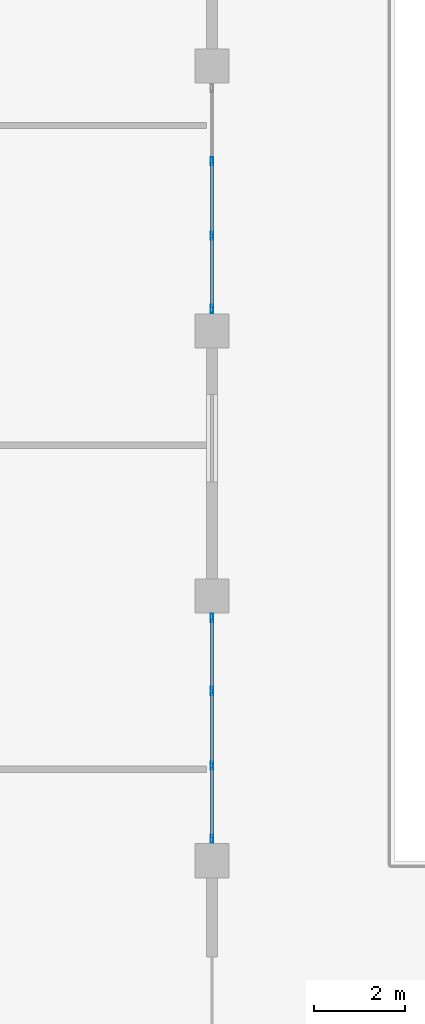
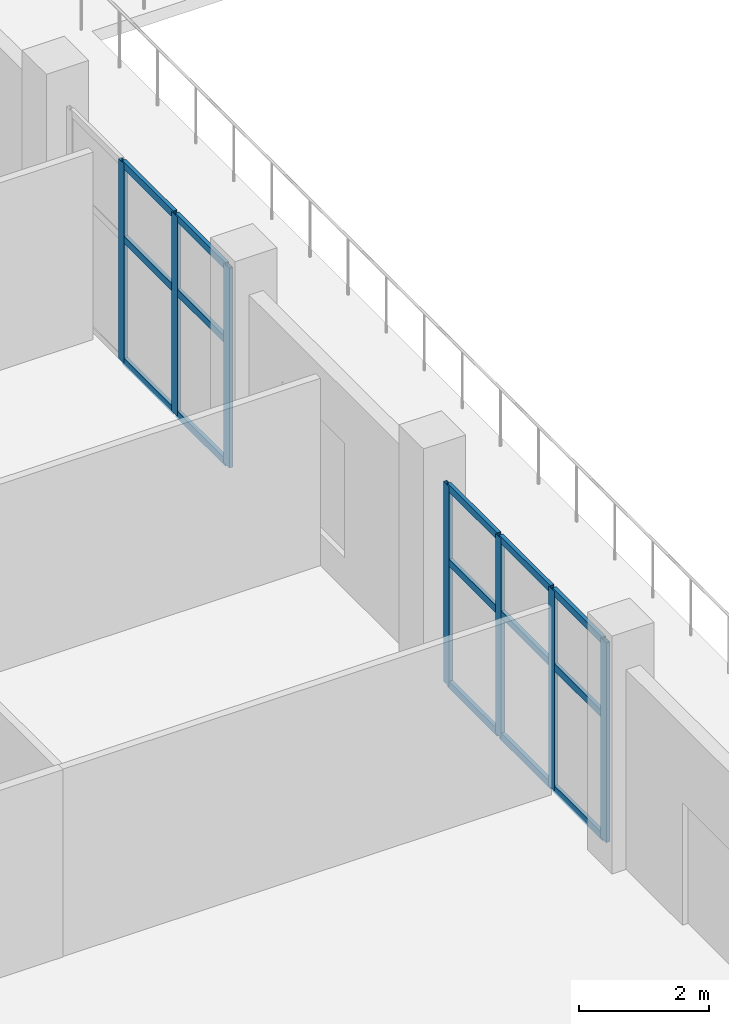
# One storey, part 32 of 132: 22 members, 2 elements without a shape of their own.
"""IFC4 building model written with IfcOpenShell, lengths in metres."""

from ifc_helpers import new_model, si_unit, direction, frame, origin, origin_2d, place, context, subcontext, project, spatial, hollow_rectangle, extrude, material, material_profile, profile_set, type_object, element, aggregate, save


model = new_model("IFC4")

# Units and contexts
model_context = context("Model", 3, precision=1e-05, world=origin(), true_north=direction((0.0, 1.0)))
body_context = subcontext(model_context, "Body", "Model", "MODEL_VIEW")
ifc_project = project(units=[si_unit("LENGTHUNIT", "METRE"), si_unit("AREAUNIT", "SQUARE_METRE"), si_unit("VOLUMEUNIT", "CUBIC_METRE"), si_unit("PLANEANGLEUNIT", "RADIAN"), si_unit("MASSUNIT", "GRAM", prefix="KILO")], contexts=[model_context])

# Site, building, storey
site_placement = place(None, origin())
site = spatial("IfcSite", under=ifc_project, at=site_placement, CompositionType="ELEMENT")
building_placement = place(site_placement, origin())
building = spatial("IfcBuilding", under=site, at=building_placement, Name="Tanwirah Colonnade Gardens", CompositionType="ELEMENT")
storey_placement = place(building_placement, origin())
storey = spatial("IfcBuildingStorey", under=building, at=storey_placement, Name="L00", CompositionType="ELEMENT", Elevation=0.0)

# Curtain wall, members
ifc_material_1 = material(Name="Bronze-anodised aluminium and solar-control low-E glass", Category="aluminium")
curtain_wall_type = type_object("IfcCurtainWallType", Name="CW-HALL", PredefinedType="NOTDEFINED", material=ifc_material_1)
curtain_wall_1_placement = place(storey_placement, origin())
curtain_wall_1 = element("IfcCurtainWall", 1, at=curtain_wall_1_placement, inside=storey, type_object=curtain_wall_type, Name="Curtain Wall CW-HALL-L00-E-2", PredefinedType="NOTDEFINED")
ifc_material_2 = material(Name="Bronze-anodised aluminium", Category="aluminium")
ifc_material_profile_1 = material_profile(ifc_material_2, hollow_rectangle(XDim=0.06494140625, YDim=0.179931640625, WallThickness=0.00390625, at=origin_2d()), Name="CW-MUL 65x180x4")
ifc_profile_set_1 = profile_set([ifc_material_profile_1], Name="Bronze-anodised aluminium")
member_type_1 = type_object("IfcMemberType", Name="CWM-65x180", PredefinedType="MULLION", material=ifc_profile_set_1)
member_1_placement = place(storey_placement, frame((108.0, 46.08251953125, 0.0), z_axis=(0.0, 0.0, 1.0), x_axis=(-1.0, 0.0, 0.0)))
member_1 = element("IfcMember", 2, at=member_1_placement, type_object=member_type_1, Name="CW-HALL mullion 1", PredefinedType="MULLION", context=body_context, shape_type="SweptSolid", body=[
    extrude(hollow_rectangle(XDim=0.06494140625, YDim=0.179931640625, WallThickness=0.00390625, at=origin_2d()), origin(), (0.0, 0.0, 1.0), 3.75),
])
member_2_placement = place(storey_placement, frame((108.0, 47.683349609375, 0.0), z_axis=(0.0, 0.0, 1.0), x_axis=(-1.0, 0.0, 0.0)))
member_2 = element("IfcMember", 3, at=member_2_placement, type_object=member_type_1, Name="CW-HALL mullion 2", PredefinedType="MULLION", context=body_context, shape_type="SweptSolid", body=[
    extrude(hollow_rectangle(XDim=0.06494140625, YDim=0.179931640625, WallThickness=0.00390625, at=origin_2d()), origin(), (0.0, 0.0, 1.0), 3.75),
])
member_3_placement = place(storey_placement, frame((108.0, 49.316650390625, 0.0), z_axis=(0.0, 0.0, 1.0), x_axis=(-1.0, 0.0, 0.0)))
member_3 = element("IfcMember", 4, at=member_3_placement, type_object=member_type_1, Name="CW-HALL mullion 3", PredefinedType="MULLION", context=body_context, shape_type="SweptSolid", body=[
    extrude(hollow_rectangle(XDim=0.06494140625, YDim=0.179931640625, WallThickness=0.00390625, at=origin_2d()), origin(), (0.0, 0.0, 1.0), 3.75),
])
member_4_placement = place(storey_placement, frame((108.0, 50.91748046875, 0.0), z_axis=(0.0, 0.0, 1.0), x_axis=(-1.0, 0.0, 0.0)))
member_4 = element("IfcMember", 5, at=member_4_placement, type_object=member_type_1, Name="CW-HALL mullion 4", PredefinedType="MULLION", context=body_context, shape_type="SweptSolid", body=[
    extrude(hollow_rectangle(XDim=0.06494140625, YDim=0.179931640625, WallThickness=0.00390625, at=origin_2d()), origin(), (0.0, 0.0, 1.0), 3.75),
])

curtain_wall_2_placement = place(storey_placement, origin())
curtain_wall_2 = element("IfcCurtainWall", 6, at=curtain_wall_2_placement, inside=storey, type_object=curtain_wall_type, Name="Curtain Wall CW-HALL-L00-E-4", PredefinedType="NOTDEFINED")
member_5_placement = place(storey_placement, frame((108.0, 57.6826171875, 0.0), z_axis=(0.0, 0.0, 1.0), x_axis=(-1.0, 0.0, 0.0)))
member_5 = element("IfcMember", 7, at=member_5_placement, type_object=member_type_1, Name="CW-HALL mullion 1", PredefinedType="MULLION", context=body_context, shape_type="SweptSolid", body=[
    extrude(hollow_rectangle(XDim=0.06494140625, YDim=0.179931640625, WallThickness=0.00390625, at=origin_2d()), origin(), (0.0, 0.0, 1.0), 3.75),
])
member_6_placement = place(storey_placement, frame((108.0, 59.283447265625, 0.0), z_axis=(0.0, 0.0, 1.0), x_axis=(-1.0, 0.0, 0.0)))
member_6 = element("IfcMember", 8, at=member_6_placement, type_object=member_type_1, Name="CW-HALL mullion 2", PredefinedType="MULLION", context=body_context, shape_type="SweptSolid", body=[
    extrude(hollow_rectangle(XDim=0.06494140625, YDim=0.179931640625, WallThickness=0.00390625, at=origin_2d()), origin(), (0.0, 0.0, 1.0), 3.75),
])
member_7_placement = place(storey_placement, frame((108.0, 60.916748046875, 0.0), z_axis=(0.0, 0.0, 1.0), x_axis=(-1.0, 0.0, 0.0)))
member_7 = element("IfcMember", 9, at=member_7_placement, type_object=member_type_1, Name="CW-HALL mullion 3", PredefinedType="MULLION", context=body_context, shape_type="SweptSolid", body=[
    extrude(hollow_rectangle(XDim=0.06494140625, YDim=0.179931640625, WallThickness=0.00390625, at=origin_2d()), origin(), (0.0, 0.0, 1.0), 3.75),
])

# Member
ifc_material_profile_2 = material_profile(ifc_material_2, hollow_rectangle(XDim=0.06494140625, YDim=0.135009765625, WallThickness=0.00390625, at=origin_2d()), Name="CW-TRN 65x135x4")
ifc_profile_set_2 = profile_set([ifc_material_profile_2], Name="Bronze-anodised aluminium")
member_type_2 = type_object("IfcMemberType", Name="CWT-65x135", PredefinedType="USERDEFINED", material=ifc_profile_set_2)
member_8_placement = place(storey_placement, frame((108.0, 46.114990234375, 0.032470703125), z_axis=(0.0, 1.0, 0.0), x_axis=(-1.0, 0.0, 0.0)))
member_8 = element("IfcMember", 10, at=member_8_placement, type_object=member_type_2, Name="CW-HALL transom 1.1", ObjectType="TRANSOM", PredefinedType="USERDEFINED", context=body_context, shape_type="SweptSolid", body=[
    extrude(hollow_rectangle(XDim=0.06494140625, YDim=0.135009765625, WallThickness=0.00390625, at=origin_2d()), origin(), (0.0, 0.0, 1.0), 1.535888671875),
])

member_9_placement = place(storey_placement, frame((108.0, 46.114990234375, 2.324951171875), z_axis=(0.0, 1.0, 0.0), x_axis=(-1.0, 0.0, 0.0)))
member_9 = element("IfcMember", 11, at=member_9_placement, type_object=member_type_2, Name="CW-HALL transom 1.2", ObjectType="TRANSOM", PredefinedType="USERDEFINED", context=body_context, shape_type="SweptSolid", body=[
    extrude(hollow_rectangle(XDim=0.06494140625, YDim=0.135009765625, WallThickness=0.00390625, at=origin_2d()), origin(), (0.0, 0.0, 1.0), 1.535888671875),
])

member_10_placement = place(storey_placement, frame((108.0, 46.114990234375, 3.717529296875), z_axis=(0.0, 1.0, 0.0), x_axis=(-1.0, 0.0, 0.0)))
member_10 = element("IfcMember", 12, at=member_10_placement, type_object=member_type_2, Name="CW-HALL transom 1.3", ObjectType="TRANSOM", PredefinedType="USERDEFINED", context=body_context, shape_type="SweptSolid", body=[
    extrude(hollow_rectangle(XDim=0.06494140625, YDim=0.135009765625, WallThickness=0.00390625, at=origin_2d()), origin(), (0.0, 0.0, 1.0), 1.535888671875),
])

member_11_placement = place(storey_placement, frame((108.0, 47.7158203125, 0.032470703125), z_axis=(0.0, 1.0, 0.0), x_axis=(-1.0, 0.0, 0.0)))
member_11 = element("IfcMember", 13, at=member_11_placement, type_object=member_type_2, Name="CW-HALL transom 2.1", ObjectType="TRANSOM", PredefinedType="USERDEFINED", context=body_context, shape_type="SweptSolid", body=[
    extrude(hollow_rectangle(XDim=0.06494140625, YDim=0.135009765625, WallThickness=0.00390625, at=origin_2d()), origin(), (0.0, 0.0, 1.0), 1.568359375),
])

member_12_placement = place(storey_placement, frame((108.0, 47.7158203125, 2.324951171875), z_axis=(0.0, 1.0, 0.0), x_axis=(-1.0, 0.0, 0.0)))
member_12 = element("IfcMember", 14, at=member_12_placement, type_object=member_type_2, Name="CW-HALL transom 2.2", ObjectType="TRANSOM", PredefinedType="USERDEFINED", context=body_context, shape_type="SweptSolid", body=[
    extrude(hollow_rectangle(XDim=0.06494140625, YDim=0.135009765625, WallThickness=0.00390625, at=origin_2d()), origin(), (0.0, 0.0, 1.0), 1.568359375),
])

member_13_placement = place(storey_placement, frame((108.0, 47.7158203125, 3.717529296875), z_axis=(0.0, 1.0, 0.0), x_axis=(-1.0, 0.0, 0.0)))
member_13 = element("IfcMember", 15, at=member_13_placement, type_object=member_type_2, Name="CW-HALL transom 2.3", ObjectType="TRANSOM", PredefinedType="USERDEFINED", context=body_context, shape_type="SweptSolid", body=[
    extrude(hollow_rectangle(XDim=0.06494140625, YDim=0.135009765625, WallThickness=0.00390625, at=origin_2d()), origin(), (0.0, 0.0, 1.0), 1.568359375),
])

member_14_placement = place(storey_placement, frame((108.0, 49.34912109375, 0.032470703125), z_axis=(0.0, 1.0, 0.0), x_axis=(-1.0, 0.0, 0.0)))
member_14 = element("IfcMember", 16, at=member_14_placement, type_object=member_type_2, Name="CW-HALL transom 3.1", ObjectType="TRANSOM", PredefinedType="USERDEFINED", context=body_context, shape_type="SweptSolid", body=[
    extrude(hollow_rectangle(XDim=0.06494140625, YDim=0.135009765625, WallThickness=0.00390625, at=origin_2d()), origin(), (0.0, 0.0, 1.0), 1.535888671875),
])

member_15_placement = place(storey_placement, frame((108.0, 49.34912109375, 2.324951171875), z_axis=(0.0, 1.0, 0.0), x_axis=(-1.0, 0.0, 0.0)))
member_15 = element("IfcMember", 17, at=member_15_placement, type_object=member_type_2, Name="CW-HALL transom 3.2", ObjectType="TRANSOM", PredefinedType="USERDEFINED", context=body_context, shape_type="SweptSolid", body=[
    extrude(hollow_rectangle(XDim=0.06494140625, YDim=0.135009765625, WallThickness=0.00390625, at=origin_2d()), origin(), (0.0, 0.0, 1.0), 1.535888671875),
])

member_16_placement = place(storey_placement, frame((108.0, 49.34912109375, 3.717529296875), z_axis=(0.0, 1.0, 0.0), x_axis=(-1.0, 0.0, 0.0)))
member_16 = element("IfcMember", 18, at=member_16_placement, type_object=member_type_2, Name="CW-HALL transom 3.3", ObjectType="TRANSOM", PredefinedType="USERDEFINED", context=body_context, shape_type="SweptSolid", body=[
    extrude(hollow_rectangle(XDim=0.06494140625, YDim=0.135009765625, WallThickness=0.00390625, at=origin_2d()), origin(), (0.0, 0.0, 1.0), 1.535888671875),
])

aggregate(curtain_wall_1, [member_1, member_2, member_3, member_4, member_8, member_9, member_10, member_11, member_12, member_13, member_14, member_15, member_16])

member_17_placement = place(storey_placement, frame((108.0, 57.715087890625, 0.032470703125), z_axis=(0.0, 1.0, 0.0), x_axis=(-1.0, 0.0, 0.0)))
member_17 = element("IfcMember", 19, at=member_17_placement, type_object=member_type_2, Name="CW-HALL transom 1.1", ObjectType="TRANSOM", PredefinedType="USERDEFINED", context=body_context, shape_type="SweptSolid", body=[
    extrude(hollow_rectangle(XDim=0.06494140625, YDim=0.135009765625, WallThickness=0.00390625, at=origin_2d()), origin(), (0.0, 0.0, 1.0), 1.53564453125),
])

member_18_placement = place(storey_placement, frame((108.0, 57.715087890625, 2.324951171875), z_axis=(0.0, 1.0, 0.0), x_axis=(-1.0, 0.0, 0.0)))
member_18 = element("IfcMember", 20, at=member_18_placement, type_object=member_type_2, Name="CW-HALL transom 1.2", ObjectType="TRANSOM", PredefinedType="USERDEFINED", context=body_context, shape_type="SweptSolid", body=[
    extrude(hollow_rectangle(XDim=0.06494140625, YDim=0.135009765625, WallThickness=0.00390625, at=origin_2d()), origin(), (0.0, 0.0, 1.0), 1.53564453125),
])

member_19_placement = place(storey_placement, frame((108.0, 57.715087890625, 3.717529296875), z_axis=(0.0, 1.0, 0.0), x_axis=(-1.0, 0.0, 0.0)))
member_19 = element("IfcMember", 21, at=member_19_placement, type_object=member_type_2, Name="CW-HALL transom 1.3", ObjectType="TRANSOM", PredefinedType="USERDEFINED", context=body_context, shape_type="SweptSolid", body=[
    extrude(hollow_rectangle(XDim=0.06494140625, YDim=0.135009765625, WallThickness=0.00390625, at=origin_2d()), origin(), (0.0, 0.0, 1.0), 1.53564453125),
])

member_20_placement = place(storey_placement, frame((108.0, 59.31591796875, 0.032470703125), z_axis=(0.0, 1.0, 0.0), x_axis=(-1.0, 0.0, 0.0)))
member_20 = element("IfcMember", 22, at=member_20_placement, type_object=member_type_2, Name="CW-HALL transom 2.1", ObjectType="TRANSOM", PredefinedType="USERDEFINED", context=body_context, shape_type="SweptSolid", body=[
    extrude(hollow_rectangle(XDim=0.06494140625, YDim=0.135009765625, WallThickness=0.00390625, at=origin_2d()), origin(), (0.0, 0.0, 1.0), 1.568359375),
])

member_21_placement = place(storey_placement, frame((108.0, 59.31591796875, 2.324951171875), z_axis=(0.0, 1.0, 0.0), x_axis=(-1.0, 0.0, 0.0)))
member_21 = element("IfcMember", 23, at=member_21_placement, type_object=member_type_2, Name="CW-HALL transom 2.2", ObjectType="TRANSOM", PredefinedType="USERDEFINED", context=body_context, shape_type="SweptSolid", body=[
    extrude(hollow_rectangle(XDim=0.06494140625, YDim=0.135009765625, WallThickness=0.00390625, at=origin_2d()), origin(), (0.0, 0.0, 1.0), 1.568359375),
])

member_22_placement = place(storey_placement, frame((108.0, 59.31591796875, 3.717529296875), z_axis=(0.0, 1.0, 0.0), x_axis=(-1.0, 0.0, 0.0)))
member_22 = element("IfcMember", 24, at=member_22_placement, type_object=member_type_2, Name="CW-HALL transom 2.3", ObjectType="TRANSOM", PredefinedType="USERDEFINED", context=body_context, shape_type="SweptSolid", body=[
    extrude(hollow_rectangle(XDim=0.06494140625, YDim=0.135009765625, WallThickness=0.00390625, at=origin_2d()), origin(), (0.0, 0.0, 1.0), 1.568359375),
])

aggregate(curtain_wall_2, [member_5, member_6, member_7, member_17, member_18, member_19, member_20, member_21, member_22])

save(model, "model.ifc")
